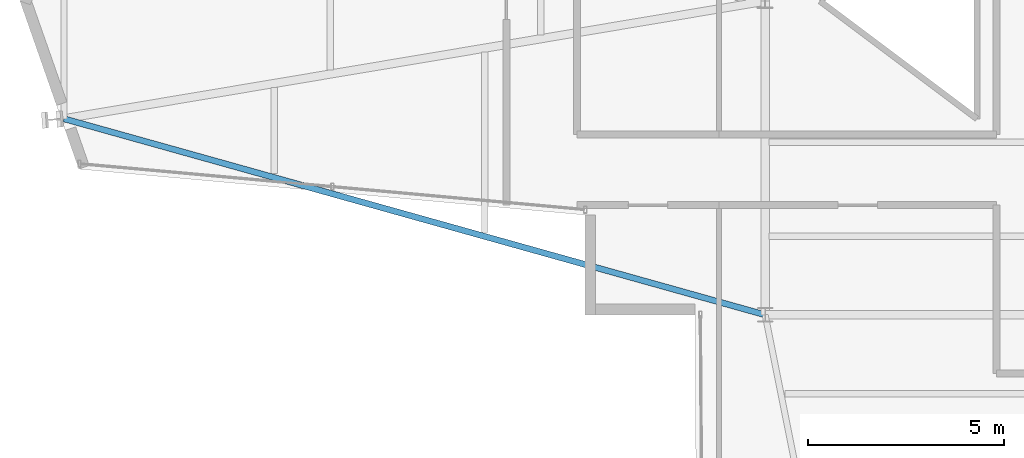
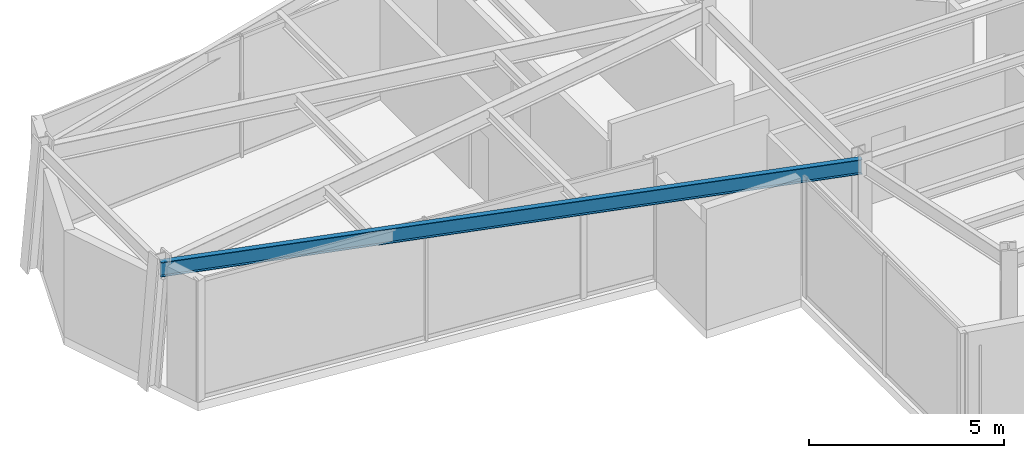
# One storey, part 3 of 23: 1 beam.
"""IFC4 building model written with IfcOpenShell, lengths in metres."""

from ifc_helpers import new_model, si_unit, direction, frame, origin, origin_2d, place, context, subcontext, project, spatial, i_section, extrude, material, material_profile, profile_set, type_object, element, save


model = new_model("IFC4")

# Units and contexts
model_context = context("Model", 3, precision=1e-05, world=origin(), true_north=direction((0.0, 1.0)))
body_context = subcontext(model_context, "Body", "Model", "MODEL_VIEW")
ifc_project = project(units=[si_unit("LENGTHUNIT", "METRE"), si_unit("AREAUNIT", "SQUARE_METRE"), si_unit("VOLUMEUNIT", "CUBIC_METRE"), si_unit("PLANEANGLEUNIT", "RADIAN"), si_unit("MASSUNIT", "GRAM", prefix="KILO")], contexts=[model_context])

# Site, building, storey
site_placement = place(None, origin())
site = spatial("IfcSite", under=ifc_project, at=site_placement, CompositionType="ELEMENT")
building_placement = place(site_placement, origin())
building = spatial("IfcBuilding", under=site, at=building_placement, Name="Veymaron Broadcast Tower", CompositionType="ELEMENT")
storey_placement = place(building_placement, frame((0.0, 0.0, 199.949951171875)))
storey = spatial("IfcBuildingStorey", under=building, at=storey_placement, Name="L46", CompositionType="ELEMENT", Elevation=199.949951171875)

# Beam
ifc_material = material(Name="Structural steel ASTM A992 Gr 50", Category="steel")
ifc_material_profile = material_profile(ifc_material, i_section(OverallWidth=0.154052734375, OverallDepth=0.458984375, WebThickness=0.009033203125, FlangeThickness=0.015380859375, at=origin_2d()), Name="W460X68")
ifc_profile_set = profile_set([ifc_material_profile], Name="Structural steel ASTM A992 Gr 50")
beam_type = type_object("IfcBeamType", Name="BM-SP2", PredefinedType="SPANDREL", material=ifc_profile_set)
beam_placement = place(storey_placement, frame((13.320068359375, 21.0, 3.560546875), z_axis=(0.963053012566, -0.269311891656, 0.0), x_axis=(0.269311891656, 0.963053012566, 0.0)))
element("IfcBeam", 1, at=beam_placement, inside=storey, type_object=beam_type, Name="L46 primary structural floor girder", PredefinedType="SPANDREL", context=body_context, shape_type="SweptSolid", body=[
    extrude(i_section(OverallWidth=0.154052734375, OverallDepth=0.458984375, WebThickness=0.009033203125, FlangeThickness=0.015380859375, at=origin_2d()), origin(), (0.0, 0.0, 1.0), 18.56591796875),
])

save(model, "model.ifc")
